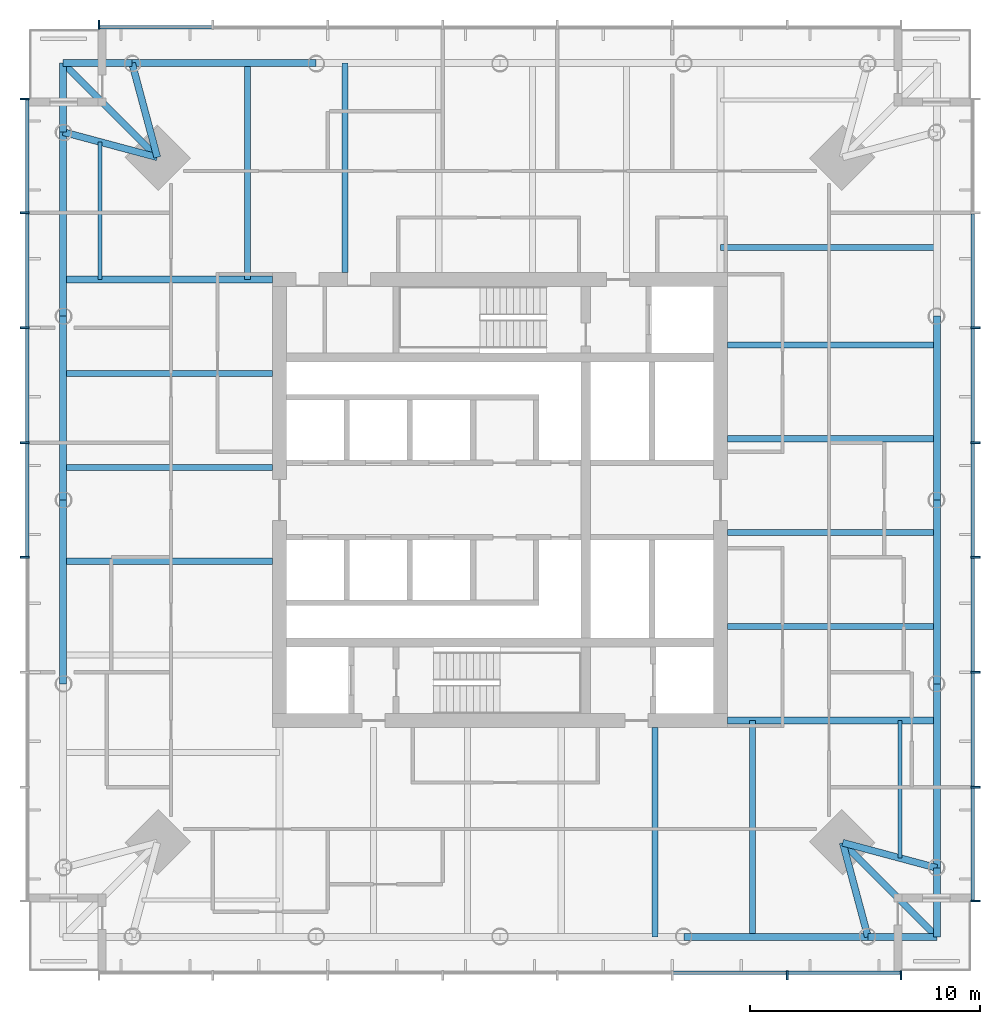
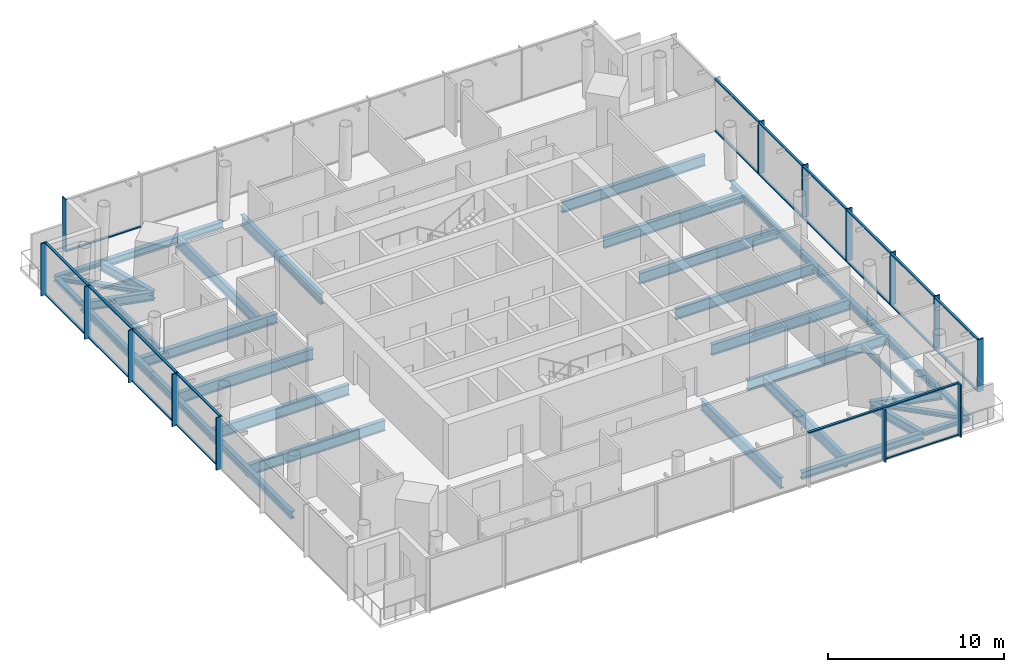
# One storey, part 2 of 9: 38 members, 34 beams, 4 elements without a shape of their own.
"""IFC4 building model written with IfcOpenShell, lengths in metres."""

from ifc_helpers import new_model, si_unit, direction, frame, origin, origin_2d, place, context, subcontext, project, spatial, rectangle, i_section, extrude, material, material_profile, profile_set, type_object, element, aggregate, save


model = new_model("IFC4")

# Units and contexts
model_context = context("Model", 3, precision=1e-05, world=origin(), true_north=direction((0.0, 1.0)))
body_context = subcontext(model_context, "Body", "Model", "MODEL_VIEW")
ifc_project = project(units=[si_unit("LENGTHUNIT", "METRE"), si_unit("AREAUNIT", "SQUARE_METRE"), si_unit("VOLUMEUNIT", "CUBIC_METRE"), si_unit("PLANEANGLEUNIT", "RADIAN"), si_unit("MASSUNIT", "GRAM", prefix="KILO")], contexts=[model_context])

# Site, building, storey
site_placement = place(None, origin())
site = spatial("IfcSite", under=ifc_project, at=site_placement, CompositionType="ELEMENT")
building_placement = place(site_placement, origin())
building = spatial("IfcBuilding", under=site, at=building_placement, Name="Ostroluk Exchange", CompositionType="ELEMENT")
storey_placement = place(building_placement, frame((0.0, 0.0, 176.800048828125)))
storey = spatial("IfcBuildingStorey", under=building, at=storey_placement, Name="L45", CompositionType="ELEMENT", Elevation=176.800048828125)

# Beams
ifc_material_1 = material(Name="Steel S355", Category="steel")
ifc_material_profile_1 = material_profile(ifc_material_1, i_section(OverallWidth=0.300048828125, OverallDepth=0.300048828125, WebThickness=0.010986328125, FlangeThickness=0.01904296875, FilletRadius=0.027099609375, at=origin_2d()), Name="HEB 300")
ifc_profile_set_1 = profile_set([ifc_material_profile_1], Name="Steel S355")
beam_type_1 = type_object("IfcBeamType", Name="Balcony beam HEB 300", PredefinedType="BEAM", material=ifc_profile_set_1)
for number, where, z_axis, x_axis, name in (
    (1, (28.978515625, 65.021484375, -0.330078125), (-1.0, 0.0, 0.0), (0.0, -1.0, 0.0), "T1 north balcony beam a"),
    (2, (25.978515625, 62.021484375, -0.330078125), (0.0, 1.0, 0.0), (-1.0, 0.0, 0.0), "T1 north balcony beam b"),
):
    element("IfcBeam", number, at=place(storey_placement, frame(where, z_axis=z_axis, x_axis=x_axis)), inside=storey, type_object=beam_type_1, Name=name, PredefinedType="BEAM", context=body_context, shape_type="SweptSolid", body=[
        extrude(i_section(OverallWidth=0.300048828125, OverallDepth=0.300048828125, WebThickness=0.010986328125, FlangeThickness=0.01904296875, FilletRadius=0.027099609375, at=origin_2d()), origin(), (0.0, 0.0, 1.0), 3.0),
    ])
beam_1_placement = place(storey_placement, frame((30.07861328125, 60.92138671875, -0.330078125), z_axis=(-0.707106781187, 0.707106781187, 0.0), x_axis=(-0.707106781187, -0.707106781187, 0.0)))
element("IfcBeam", 3, at=beam_1_placement, inside=storey, type_object=beam_type_1, Name="T1 north balcony beam c", PredefinedType="BEAM", context=body_context, shape_type="SweptSolid", body=[
    extrude(i_section(OverallWidth=0.300048828125, OverallDepth=0.300048828125, WebThickness=0.010986328125, FlangeThickness=0.01904296875, FilletRadius=0.027099609375, at=origin_2d()), origin(), (0.0, 0.0, 1.0), 5.79833984375),
])
for number, where, z_axis, x_axis, name in (
    (4, (61.021484375, 26.978515625, -0.330078125), (1.0, 0.0, 0.0), (0.0, 1.0, 0.0), "T1 south balcony beam a"),
    (5, (64.021484375, 29.978515625, -0.330078125), (0.0, -1.0, 0.0), (1.0, 0.0, 0.0), "T1 south balcony beam b"),
):
    element("IfcBeam", number, at=place(storey_placement, frame(where, z_axis=z_axis, x_axis=x_axis)), inside=storey, type_object=beam_type_1, Name=name, PredefinedType="BEAM", context=body_context, shape_type="SweptSolid", body=[
        extrude(i_section(OverallWidth=0.300048828125, OverallDepth=0.300048828125, WebThickness=0.010986328125, FlangeThickness=0.01904296875, FilletRadius=0.027099609375, at=origin_2d()), origin(), (0.0, 0.0, 1.0), 3.0),
    ])
beam_2_placement = place(storey_placement, frame((59.92138671875, 31.07861328125, -0.330078125), z_axis=(0.707106781187, -0.707106781187, 0.0), x_axis=(0.707106781187, 0.707106781187, 0.0)))
element("IfcBeam", 6, at=beam_2_placement, inside=storey, type_object=beam_type_1, Name="T1 south balcony beam c", PredefinedType="BEAM", context=body_context, shape_type="SweptSolid", body=[
    extrude(i_section(OverallWidth=0.300048828125, OverallDepth=0.300048828125, WebThickness=0.010986328125, FlangeThickness=0.01904296875, FilletRadius=0.027099609375, at=origin_2d()), origin(), (0.0, 0.0, 1.0), 5.79833984375),
])
ifc_material_2 = material(Name="Steel S355", Category="steel")
ifc_material_profile_2 = material_profile(ifc_material_2, i_section(OverallWidth=0.300048828125, OverallDepth=0.60009765625, WebThickness=0.015380859375, FlangeThickness=0.030029296875, FilletRadius=0.027099609375, at=origin_2d()), Name="HEB 600")
ifc_profile_set_2 = profile_set([ifc_material_profile_2], Name="Steel S355")
beam_type_2 = type_object("IfcBeamType", Name="Corner edge beam HEB 600", PredefinedType="SPANDREL", material=ifc_profile_set_2)
for number, where, z_axis, x_axis, name in (
    (7, (30.07861328125, 60.92138671875, -0.47998046875), (-0.259144268261, 0.965838624319, 0.0), (-0.965838624319, -0.259144268261, 0.0), "T1 north corner edge beam a"),
    (8, (30.07861328125, 60.92138671875, -0.47998046875), (-0.965838624319, 0.259144268261, 0.0), (-0.259144268261, -0.965838624319, 0.0), "T1 north corner edge beam b"),
    (9, (59.92138671875, 31.07861328125, -0.47998046875), (0.259144268261, -0.965838624319, 0.0), (0.965838624319, 0.259144268261, 0.0), "T1 south corner edge beam a"),
    (10, (59.92138671875, 31.07861328125, -0.47998046875), (0.965838624319, -0.259144268261, 0.0), (0.259144268261, 0.965838624319, 0.0), "T1 south corner edge beam b"),
):
    element("IfcBeam", number, at=place(storey_placement, frame(where, z_axis=z_axis, x_axis=x_axis)), inside=storey, type_object=beam_type_2, Name=name, PredefinedType="SPANDREL", context=body_context, shape_type="SweptSolid", body=[
        extrude(i_section(OverallWidth=0.300048828125, OverallDepth=0.60009765625, WebThickness=0.015380859375, FlangeThickness=0.030029296875, FilletRadius=0.027099609375, at=origin_2d()), origin(), (0.0, 0.0, 1.0), 4.2451171875),
    ])
ifc_material_3 = material(Name="Steel S355", Category="steel")
ifc_material_profile_3 = material_profile(ifc_material_3, i_section(OverallWidth=0.179931640625, OverallDepth=0.39990234375, WebThickness=0.008544921875, FlangeThickness=0.013427734375, FilletRadius=0.02099609375, at=origin_2d()), Name="IPE 400")
ifc_profile_set_3 = profile_set([ifc_material_profile_3], Name="Steel S355")
beam_type_3 = type_object("IfcBeamType", Name="Floor beam IPE 400", PredefinedType="BEAM", material=ifc_profile_set_3)
for number, where, z_axis, x_axis, name in (
    (11, (27.57861328125, 55.60009765625, -0.380126953125), (0.0, 1.0, 0.0), (-1.0, 0.0, 0.0), "T1 north floor beam 6"),
    (12, (62.42138671875, 36.39990234375, -0.380126953125), (0.0, -1.0, 0.0), (1.0, 0.0, 0.0), "T1 south floor beam 6"),
):
    element("IfcBeam", number, at=place(storey_placement, frame(where, z_axis=z_axis, x_axis=x_axis)), inside=storey, type_object=beam_type_3, Name=name, PredefinedType="BEAM", context=body_context, shape_type="SweptSolid", body=[
        extrude(i_section(OverallWidth=0.179931640625, OverallDepth=0.39990234375, WebThickness=0.008544921875, FlangeThickness=0.013427734375, FilletRadius=0.02099609375, at=origin_2d()), origin(), (0.0, 0.0, 1.0), 5.991943359375),
    ])
ifc_material_4 = material(Name="Steel S355", Category="steel")
ifc_material_profile_4 = material_profile(ifc_material_4, i_section(OverallWidth=0.264892578125, OverallDepth=0.7529296875, WebThickness=0.01318359375, FlangeThickness=0.01708984375, FilletRadius=0.01708984375, at=origin_2d()), Name="IPE 750x147")
ifc_profile_set_4 = profile_set([ifc_material_profile_4], Name="Steel S355")
beam_type_4 = type_object("IfcBeamType", Name="Floor beam IPE 750x147", PredefinedType="BEAM", material=ifc_profile_set_4)
for number, where, z_axis, x_axis, name in (
    (13, (54.89990234375, 40.48876953125, -0.556640625), (1.0, 0.0, 0.0), (0.0, 1.0, 0.0), "T1 east floor beam 1"),
    (14, (54.89990234375, 44.57763671875, -0.556640625), (1.0, 0.0, 0.0), (0.0, 1.0, 0.0), "T1 east floor beam 2"),
    (15, (54.89990234375, 48.666259765625, -0.556640625), (1.0, 0.0, 0.0), (0.0, 1.0, 0.0), "T1 east floor beam 3"),
    (16, (54.89990234375, 52.755126953125, -0.556640625), (1.0, 0.0, 0.0), (0.0, 1.0, 0.0), "T1 east floor beam 4"),
):
    element("IfcBeam", number, at=place(storey_placement, frame(where, z_axis=z_axis, x_axis=x_axis)), inside=storey, type_object=beam_type_4, Name=name, PredefinedType="BEAM", context=body_context, shape_type="SweptSolid", body=[
        extrude(i_section(OverallWidth=0.264892578125, OverallDepth=0.7529296875, WebThickness=0.01318359375, FlangeThickness=0.01708984375, FilletRadius=0.01708984375, at=origin_2d()), origin(), (0.0, 0.0, 1.0), 9.12158203125),
    ])
beam_3_placement = place(storey_placement, frame((54.60009765625, 57.0, -0.556640625), z_axis=(1.0, 0.0, 0.0), x_axis=(0.0, 1.0, 0.0)))
element("IfcBeam", 17, at=beam_3_placement, inside=storey, type_object=beam_type_4, Name="T1 east floor beam 5", PredefinedType="BEAM", context=body_context, shape_type="SweptSolid", body=[
    extrude(i_section(OverallWidth=0.264892578125, OverallDepth=0.7529296875, WebThickness=0.01318359375, FlangeThickness=0.01708984375, FilletRadius=0.01708984375, at=origin_2d()), origin(), (0.0, 0.0, 1.0), 9.42138671875),
])
beam_4_placement = place(storey_placement, frame((38.244873046875, 55.89990234375, -0.556640625), z_axis=(0.0, 1.0, 0.0), x_axis=(-1.0, 0.0, 0.0)))
element("IfcBeam", 18, at=beam_4_placement, inside=storey, type_object=beam_type_4, Name="T1 north floor beam 4", PredefinedType="BEAM", context=body_context, shape_type="SweptSolid", body=[
    extrude(i_section(OverallWidth=0.264892578125, OverallDepth=0.7529296875, WebThickness=0.01318359375, FlangeThickness=0.01708984375, FilletRadius=0.01708984375, at=origin_2d()), origin(), (0.0, 0.0, 1.0), 9.12158203125),
])
beam_5_placement = place(storey_placement, frame((34.0, 55.60009765625, -0.556640625), z_axis=(0.0, 1.0, 0.0), x_axis=(-1.0, 0.0, 0.0)))
element("IfcBeam", 19, at=beam_5_placement, inside=storey, type_object=beam_type_4, Name="T1 north floor beam 5", PredefinedType="BEAM", context=body_context, shape_type="SweptSolid", body=[
    extrude(i_section(OverallWidth=0.264892578125, OverallDepth=0.7529296875, WebThickness=0.01318359375, FlangeThickness=0.01708984375, FilletRadius=0.01708984375, at=origin_2d()), origin(), (0.0, 0.0, 1.0), 9.42138671875),
])
for number, where, z_axis, x_axis, name in (
    (20, (35.10009765625, 51.51123046875, -0.556640625), (-1.0, 0.0, 0.0), (0.0, -1.0, 0.0), "T1 west floor beam 1"),
    (21, (35.10009765625, 47.42236328125, -0.556640625), (-1.0, 0.0, 0.0), (0.0, -1.0, 0.0), "T1 west floor beam 2"),
    (22, (35.10009765625, 43.333740234375, -0.556640625), (-1.0, 0.0, 0.0), (0.0, -1.0, 0.0), "T1 west floor beam 3"),
    (23, (51.755126953125, 36.10009765625, -0.556640625), (0.0, -1.0, 0.0), (1.0, 0.0, 0.0), "T1 south floor beam 4"),
):
    element("IfcBeam", number, at=place(storey_placement, frame(where, z_axis=z_axis, x_axis=x_axis)), inside=storey, type_object=beam_type_4, Name=name, PredefinedType="BEAM", context=body_context, shape_type="SweptSolid", body=[
        extrude(i_section(OverallWidth=0.264892578125, OverallDepth=0.7529296875, WebThickness=0.01318359375, FlangeThickness=0.01708984375, FilletRadius=0.01708984375, at=origin_2d()), origin(), (0.0, 0.0, 1.0), 9.12158203125),
    ])
beam_6_placement = place(storey_placement, frame((56.0, 36.39990234375, -0.556640625), z_axis=(0.0, -1.0, 0.0), x_axis=(1.0, 0.0, 0.0)))
element("IfcBeam", 24, at=beam_6_placement, inside=storey, type_object=beam_type_4, Name="T1 south floor beam 5", PredefinedType="BEAM", context=body_context, shape_type="SweptSolid", body=[
    extrude(i_section(OverallWidth=0.264892578125, OverallDepth=0.7529296875, WebThickness=0.01318359375, FlangeThickness=0.01708984375, FilletRadius=0.01708984375, at=origin_2d()), origin(), (0.0, 0.0, 1.0), 9.42138671875),
])
ifc_material_5 = material(Name="Steel S355", Category="steel")
ifc_material_profile_5 = material_profile(ifc_material_5, i_section(OverallWidth=0.300048828125, OverallDepth=0.699951171875, WebThickness=0.01708984375, FlangeThickness=0.031982421875, FilletRadius=0.027099609375, at=origin_2d()), Name="HEB 700")
ifc_profile_set_5 = profile_set([ifc_material_profile_5], Name="Steel S355")
beam_type_5 = type_object("IfcBeamType", Name="Girder HEB 700", PredefinedType="BEAM", material=ifc_profile_set_5)
for number, where, z_axis, x_axis, name in (
    (25, (35.10009765625, 55.60009765625, -0.530029296875), (-1.0, 0.0, 0.0), (0.0, -1.0, 0.0), "T1 north girder"),
    (26, (54.89990234375, 36.39990234375, -0.530029296875), (1.0, 0.0, 0.0), (0.0, 1.0, 0.0), "T1 south girder"),
):
    element("IfcBeam", number, at=place(storey_placement, frame(where, z_axis=z_axis, x_axis=x_axis)), inside=storey, type_object=beam_type_5, Name=name, PredefinedType="BEAM", context=body_context, shape_type="SweptSolid", body=[
        extrude(i_section(OverallWidth=0.300048828125, OverallDepth=0.699951171875, WebThickness=0.01708984375, FlangeThickness=0.031982421875, FilletRadius=0.027099609375, at=origin_2d()), origin(), (0.0, 0.0, 1.0), 9.12158203125),
    ])
ifc_material_6 = material(Name="Steel S355", Category="steel")
ifc_material_profile_6 = material_profile(ifc_material_6, i_section(OverallWidth=0.300048828125, OverallDepth=0.5, WebThickness=0.014404296875, FlangeThickness=0.028076171875, FilletRadius=0.027099609375, at=origin_2d()), Name="HEB 500")
ifc_profile_set_6 = profile_set([ifc_material_profile_6], Name="Steel S355")
beam_type_6 = type_object("IfcBeamType", Name="Moment-connected edge beam HEB 500", PredefinedType="SPANDREL", material=ifc_profile_set_6)
for number, where, z_axis, x_axis, name in (
    (27, (64.021484375, 29.978515625, -0.429931640625), (0.0, 1.0, 0.0), (-1.0, 0.0, 0.0), "T1 east edge beam 1"),
    (28, (64.021484375, 37.9892578125, -0.429931640625), (0.0, 1.0, 0.0), (-1.0, 0.0, 0.0), "T1 east edge beam 2"),
    (29, (64.021484375, 46.0, -0.429931640625), (0.0, 1.0, 0.0), (-1.0, 0.0, 0.0), "T1 east edge beam 3"),
    (30, (36.9892578125, 65.021484375, -0.429931640625), (-1.0, 0.0, 0.0), (0.0, -1.0, 0.0), "T1 north edge beam 4"),
    (31, (25.978515625, 62.021484375, -0.429931640625), (0.0, -1.0, 0.0), (1.0, 0.0, 0.0), "T1 west edge beam 1"),
    (32, (25.978515625, 54.0107421875, -0.429931640625), (0.0, -1.0, 0.0), (1.0, 0.0, 0.0), "T1 west edge beam 2"),
    (33, (25.978515625, 46.0, -0.429931640625), (0.0, -1.0, 0.0), (1.0, 0.0, 0.0), "T1 west edge beam 3"),
    (34, (53.0107421875, 26.978515625, -0.429931640625), (1.0, 0.0, 0.0), (0.0, 1.0, 0.0), "T1 south edge beam 4"),
):
    element("IfcBeam", number, at=place(storey_placement, frame(where, z_axis=z_axis, x_axis=x_axis)), inside=storey, type_object=beam_type_6, Name=name, PredefinedType="SPANDREL", context=body_context, shape_type="SweptSolid", body=[
        extrude(i_section(OverallWidth=0.300048828125, OverallDepth=0.5, WebThickness=0.014404296875, FlangeThickness=0.028076171875, FilletRadius=0.027099609375, at=origin_2d()), origin(), (0.0, 0.0, 1.0), 8.0107421875),
    ])

# Curtain wall, members
ifc_material_7 = material(Name="Laminated clear glass", Category="glass")
curtain_wall_type = type_object("IfcCurtainWallType", Name="Office tower facade", PredefinedType="USERDEFINED", material=ifc_material_7)
curtain_wall_1_placement = place(storey_placement, origin())
curtain_wall_1 = element("IfcCurtainWall", 35, at=curtain_wall_1_placement, inside=storey, type_object=curtain_wall_type, Name="Office tower south facade L45", ObjectType="UNITISED CURTAIN WALL", PredefinedType="USERDEFINED")
ifc_material_8 = material(Name="Aluminium mullion", Category="aluminium")
ifc_material_profile_7 = material_profile(ifc_material_8, rectangle(XDim=0.14990234375, YDim=0.080078125, at=origin_2d()), Name="Sill transom 80 x 150")
ifc_profile_set_7 = profile_set([ifc_material_profile_7], Name="Aluminium mullion")
member_type_1 = type_object("IfcMemberType", Name="Sill transom 80 x 150", PredefinedType="USERDEFINED", material=ifc_profile_set_7)
member_1_placement = place(storey_placement, frame((52.5400390625, 25.425048828125, 3.60986328125), z_axis=(1.0, 0.0, 0.0), x_axis=(0.0, 1.0, 0.0)))
member_1 = element("IfcMember", 36, at=member_1_placement, type_object=member_type_1, Name="CW-O1 transom 6.2", ObjectType="TRANSOM", PredefinedType="USERDEFINED", context=body_context, shape_type="SweptSolid", body=[
    extrude(rectangle(XDim=0.14990234375, YDim=0.080078125, at=origin_2d()), origin(), (0.0, 0.0, 1.0), 4.919921875),
])
member_2_placement = place(storey_placement, frame((57.5400390625, 25.425048828125, 0.0400390625), z_axis=(1.0, 0.0, 0.0), x_axis=(0.0, 1.0, 0.0)))
member_2 = element("IfcMember", 37, at=member_2_placement, type_object=member_type_1, Name="CW-O1 transom 7.1", ObjectType="TRANSOM", PredefinedType="USERDEFINED", context=body_context, shape_type="SweptSolid", body=[
    extrude(rectangle(XDim=0.14990234375, YDim=0.080078125, at=origin_2d()), origin(), (0.0, 0.0, 1.0), 4.8798828125),
])
member_3_placement = place(storey_placement, frame((57.5400390625, 25.425048828125, 3.60986328125), z_axis=(1.0, 0.0, 0.0), x_axis=(0.0, 1.0, 0.0)))
member_3 = element("IfcMember", 38, at=member_3_placement, type_object=member_type_1, Name="CW-O1 transom 7.2", ObjectType="TRANSOM", PredefinedType="USERDEFINED", context=body_context, shape_type="SweptSolid", body=[
    extrude(rectangle(XDim=0.14990234375, YDim=0.080078125, at=origin_2d()), origin(), (0.0, 0.0, 1.0), 4.8798828125),
])

curtain_wall_2_placement = place(storey_placement, origin())
curtain_wall_2 = element("IfcCurtainWall", 39, at=curtain_wall_2_placement, inside=storey, type_object=curtain_wall_type, Name="Office tower east facade L45", ObjectType="UNITISED CURTAIN WALL", PredefinedType="USERDEFINED")
member_4_placement = place(storey_placement, frame((65.574951171875, 28.580078125, 0.0400390625), z_axis=(0.0, 1.0, 0.0), x_axis=(-1.0, 0.0, 0.0)))
member_4 = element("IfcMember", 40, at=member_4_placement, type_object=member_type_1, Name="CW-O1 transom 1.1", ObjectType="TRANSOM", PredefinedType="USERDEFINED", context=body_context, shape_type="SweptSolid", body=[
    extrude(rectangle(XDim=0.14990234375, YDim=0.080078125, at=origin_2d()), origin(), (0.0, 0.0, 1.0), 4.8798828125),
])
member_5_placement = place(storey_placement, frame((65.574951171875, 28.580078125, 3.60986328125), z_axis=(0.0, 1.0, 0.0), x_axis=(-1.0, 0.0, 0.0)))
member_5 = element("IfcMember", 41, at=member_5_placement, type_object=member_type_1, Name="CW-O1 transom 1.2", ObjectType="TRANSOM", PredefinedType="USERDEFINED", context=body_context, shape_type="SweptSolid", body=[
    extrude(rectangle(XDim=0.14990234375, YDim=0.080078125, at=origin_2d()), origin(), (0.0, 0.0, 1.0), 4.8798828125),
])
member_6_placement = place(storey_placement, frame((65.574951171875, 33.5400390625, 0.0400390625), z_axis=(0.0, 1.0, 0.0), x_axis=(-1.0, 0.0, 0.0)))
member_6 = element("IfcMember", 42, at=member_6_placement, type_object=member_type_1, Name="CW-O1 transom 2.1", ObjectType="TRANSOM", PredefinedType="USERDEFINED", context=body_context, shape_type="SweptSolid", body=[
    extrude(rectangle(XDim=0.14990234375, YDim=0.080078125, at=origin_2d()), origin(), (0.0, 0.0, 1.0), 4.919921875),
])
member_7_placement = place(storey_placement, frame((65.574951171875, 33.5400390625, 3.60986328125), z_axis=(0.0, 1.0, 0.0), x_axis=(-1.0, 0.0, 0.0)))
member_7 = element("IfcMember", 43, at=member_7_placement, type_object=member_type_1, Name="CW-O1 transom 2.2", ObjectType="TRANSOM", PredefinedType="USERDEFINED", context=body_context, shape_type="SweptSolid", body=[
    extrude(rectangle(XDim=0.14990234375, YDim=0.080078125, at=origin_2d()), origin(), (0.0, 0.0, 1.0), 4.919921875),
])
member_8_placement = place(storey_placement, frame((65.574951171875, 38.5400390625, 0.0400390625), z_axis=(0.0, 1.0, 0.0), x_axis=(-1.0, 0.0, 0.0)))
member_8 = element("IfcMember", 44, at=member_8_placement, type_object=member_type_1, Name="CW-O1 transom 3.1", ObjectType="TRANSOM", PredefinedType="USERDEFINED", context=body_context, shape_type="SweptSolid", body=[
    extrude(rectangle(XDim=0.14990234375, YDim=0.080078125, at=origin_2d()), origin(), (0.0, 0.0, 1.0), 4.919921875),
])
member_9_placement = place(storey_placement, frame((65.574951171875, 38.5400390625, 3.60986328125), z_axis=(0.0, 1.0, 0.0), x_axis=(-1.0, 0.0, 0.0)))
member_9 = element("IfcMember", 45, at=member_9_placement, type_object=member_type_1, Name="CW-O1 transom 3.2", ObjectType="TRANSOM", PredefinedType="USERDEFINED", context=body_context, shape_type="SweptSolid", body=[
    extrude(rectangle(XDim=0.14990234375, YDim=0.080078125, at=origin_2d()), origin(), (0.0, 0.0, 1.0), 4.919921875),
])
member_10_placement = place(storey_placement, frame((65.574951171875, 43.5400390625, 0.0400390625), z_axis=(0.0, 1.0, 0.0), x_axis=(-1.0, 0.0, 0.0)))
member_10 = element("IfcMember", 46, at=member_10_placement, type_object=member_type_1, Name="CW-O1 transom 4.1", ObjectType="TRANSOM", PredefinedType="USERDEFINED", context=body_context, shape_type="SweptSolid", body=[
    extrude(rectangle(XDim=0.14990234375, YDim=0.080078125, at=origin_2d()), origin(), (0.0, 0.0, 1.0), 4.919921875),
])
member_11_placement = place(storey_placement, frame((65.574951171875, 43.5400390625, 3.60986328125), z_axis=(0.0, 1.0, 0.0), x_axis=(-1.0, 0.0, 0.0)))
member_11 = element("IfcMember", 47, at=member_11_placement, type_object=member_type_1, Name="CW-O1 transom 4.2", ObjectType="TRANSOM", PredefinedType="USERDEFINED", context=body_context, shape_type="SweptSolid", body=[
    extrude(rectangle(XDim=0.14990234375, YDim=0.080078125, at=origin_2d()), origin(), (0.0, 0.0, 1.0), 4.919921875),
])
member_12_placement = place(storey_placement, frame((65.574951171875, 48.5400390625, 0.0400390625), z_axis=(0.0, 1.0, 0.0), x_axis=(-1.0, 0.0, 0.0)))
member_12 = element("IfcMember", 48, at=member_12_placement, type_object=member_type_1, Name="CW-O1 transom 5.1", ObjectType="TRANSOM", PredefinedType="USERDEFINED", context=body_context, shape_type="SweptSolid", body=[
    extrude(rectangle(XDim=0.14990234375, YDim=0.080078125, at=origin_2d()), origin(), (0.0, 0.0, 1.0), 4.919921875),
])
member_13_placement = place(storey_placement, frame((65.574951171875, 48.5400390625, 3.60986328125), z_axis=(0.0, 1.0, 0.0), x_axis=(-1.0, 0.0, 0.0)))
member_13 = element("IfcMember", 49, at=member_13_placement, type_object=member_type_1, Name="CW-O1 transom 5.2", ObjectType="TRANSOM", PredefinedType="USERDEFINED", context=body_context, shape_type="SweptSolid", body=[
    extrude(rectangle(XDim=0.14990234375, YDim=0.080078125, at=origin_2d()), origin(), (0.0, 0.0, 1.0), 4.919921875),
])
member_14_placement = place(storey_placement, frame((65.574951171875, 53.5400390625, 0.0400390625), z_axis=(0.0, 1.0, 0.0), x_axis=(-1.0, 0.0, 0.0)))
member_14 = element("IfcMember", 50, at=member_14_placement, type_object=member_type_1, Name="CW-O1 transom 6.1", ObjectType="TRANSOM", PredefinedType="USERDEFINED", context=body_context, shape_type="SweptSolid", body=[
    extrude(rectangle(XDim=0.14990234375, YDim=0.080078125, at=origin_2d()), origin(), (0.0, 0.0, 1.0), 4.919921875),
])
member_15_placement = place(storey_placement, frame((65.574951171875, 53.5400390625, 3.60986328125), z_axis=(0.0, 1.0, 0.0), x_axis=(-1.0, 0.0, 0.0)))
member_15 = element("IfcMember", 51, at=member_15_placement, type_object=member_type_1, Name="CW-O1 transom 6.2", ObjectType="TRANSOM", PredefinedType="USERDEFINED", context=body_context, shape_type="SweptSolid", body=[
    extrude(rectangle(XDim=0.14990234375, YDim=0.080078125, at=origin_2d()), origin(), (0.0, 0.0, 1.0), 4.919921875),
])

# Curtain wall, member
curtain_wall_3_placement = place(storey_placement, origin())
curtain_wall_3 = element("IfcCurtainWall", 52, at=curtain_wall_3_placement, inside=storey, type_object=curtain_wall_type, Name="Office tower north facade L45", ObjectType="UNITISED CURTAIN WALL", PredefinedType="USERDEFINED")
member_16_placement = place(storey_placement, frame((32.4599609375, 66.574951171875, 0.0400390625), z_axis=(-1.0, 0.0, 0.0), x_axis=(0.0, -1.0, 0.0)))
member_16 = element("IfcMember", 53, at=member_16_placement, type_object=member_type_1, Name="CW-O1 transom 7.1", ObjectType="TRANSOM", PredefinedType="USERDEFINED", context=body_context, shape_type="SweptSolid", body=[
    extrude(rectangle(XDim=0.14990234375, YDim=0.080078125, at=origin_2d()), origin(), (0.0, 0.0, 1.0), 4.8798828125),
])

# Curtain wall, members
curtain_wall_4_placement = place(storey_placement, origin())
curtain_wall_4 = element("IfcCurtainWall", 54, at=curtain_wall_4_placement, inside=storey, type_object=curtain_wall_type, Name="Office tower west facade L45", ObjectType="UNITISED CURTAIN WALL", PredefinedType="USERDEFINED")
member_17_placement = place(storey_placement, frame((24.425048828125, 63.419921875, 0.0400390625), z_axis=(0.0, -1.0, 0.0), x_axis=(1.0, 0.0, 0.0)))
member_17 = element("IfcMember", 55, at=member_17_placement, type_object=member_type_1, Name="CW-O1 transom 1.1", ObjectType="TRANSOM", PredefinedType="USERDEFINED", context=body_context, shape_type="SweptSolid", body=[
    extrude(rectangle(XDim=0.14990234375, YDim=0.080078125, at=origin_2d()), origin(), (0.0, 0.0, 1.0), 4.8798828125),
])
member_18_placement = place(storey_placement, frame((24.425048828125, 63.419921875, 3.60986328125), z_axis=(0.0, -1.0, 0.0), x_axis=(1.0, 0.0, 0.0)))
member_18 = element("IfcMember", 56, at=member_18_placement, type_object=member_type_1, Name="CW-O1 transom 1.2", ObjectType="TRANSOM", PredefinedType="USERDEFINED", context=body_context, shape_type="SweptSolid", body=[
    extrude(rectangle(XDim=0.14990234375, YDim=0.080078125, at=origin_2d()), origin(), (0.0, 0.0, 1.0), 4.8798828125),
])
member_19_placement = place(storey_placement, frame((24.425048828125, 58.4599609375, 0.0400390625), z_axis=(0.0, -1.0, 0.0), x_axis=(1.0, 0.0, 0.0)))
member_19 = element("IfcMember", 57, at=member_19_placement, type_object=member_type_1, Name="CW-O1 transom 2.1", ObjectType="TRANSOM", PredefinedType="USERDEFINED", context=body_context, shape_type="SweptSolid", body=[
    extrude(rectangle(XDim=0.14990234375, YDim=0.080078125, at=origin_2d()), origin(), (0.0, 0.0, 1.0), 4.919921875),
])
member_20_placement = place(storey_placement, frame((24.425048828125, 58.4599609375, 3.60986328125), z_axis=(0.0, -1.0, 0.0), x_axis=(1.0, 0.0, 0.0)))
member_20 = element("IfcMember", 58, at=member_20_placement, type_object=member_type_1, Name="CW-O1 transom 2.2", ObjectType="TRANSOM", PredefinedType="USERDEFINED", context=body_context, shape_type="SweptSolid", body=[
    extrude(rectangle(XDim=0.14990234375, YDim=0.080078125, at=origin_2d()), origin(), (0.0, 0.0, 1.0), 4.919921875),
])
member_21_placement = place(storey_placement, frame((24.425048828125, 53.4599609375, 0.0400390625), z_axis=(0.0, -1.0, 0.0), x_axis=(1.0, 0.0, 0.0)))
member_21 = element("IfcMember", 59, at=member_21_placement, type_object=member_type_1, Name="CW-O1 transom 3.1", ObjectType="TRANSOM", PredefinedType="USERDEFINED", context=body_context, shape_type="SweptSolid", body=[
    extrude(rectangle(XDim=0.14990234375, YDim=0.080078125, at=origin_2d()), origin(), (0.0, 0.0, 1.0), 4.919921875),
])
member_22_placement = place(storey_placement, frame((24.425048828125, 53.4599609375, 3.60986328125), z_axis=(0.0, -1.0, 0.0), x_axis=(1.0, 0.0, 0.0)))
member_22 = element("IfcMember", 60, at=member_22_placement, type_object=member_type_1, Name="CW-O1 transom 3.2", ObjectType="TRANSOM", PredefinedType="USERDEFINED", context=body_context, shape_type="SweptSolid", body=[
    extrude(rectangle(XDim=0.14990234375, YDim=0.080078125, at=origin_2d()), origin(), (0.0, 0.0, 1.0), 4.919921875),
])
member_23_placement = place(storey_placement, frame((24.425048828125, 48.4599609375, 0.0400390625), z_axis=(0.0, -1.0, 0.0), x_axis=(1.0, 0.0, 0.0)))
member_23 = element("IfcMember", 61, at=member_23_placement, type_object=member_type_1, Name="CW-O1 transom 4.1", ObjectType="TRANSOM", PredefinedType="USERDEFINED", context=body_context, shape_type="SweptSolid", body=[
    extrude(rectangle(XDim=0.14990234375, YDim=0.080078125, at=origin_2d()), origin(), (0.0, 0.0, 1.0), 4.919921875),
])
member_24_placement = place(storey_placement, frame((24.425048828125, 48.4599609375, 3.60986328125), z_axis=(0.0, -1.0, 0.0), x_axis=(1.0, 0.0, 0.0)))
member_24 = element("IfcMember", 62, at=member_24_placement, type_object=member_type_1, Name="CW-O1 transom 4.2", ObjectType="TRANSOM", PredefinedType="USERDEFINED", context=body_context, shape_type="SweptSolid", body=[
    extrude(rectangle(XDim=0.14990234375, YDim=0.080078125, at=origin_2d()), origin(), (0.0, 0.0, 1.0), 4.919921875),
])

# Member
ifc_material_9 = material(Name="Aluminium mullion with limestone facing", Category="masonry")
ifc_material_profile_8 = material_profile(ifc_material_9, rectangle(XDim=0.39990234375, YDim=0.080078125, at=origin_2d()), Name="Tracery mullion 80 x 400")
ifc_profile_set_8 = profile_set([ifc_material_profile_8], Name="Aluminium mullion with limestone facing")
member_type_2 = type_object("IfcMemberType", Name="Tracery mullion 80 x 400", PredefinedType="MULLION", material=ifc_profile_set_8)
member_25_placement = place(storey_placement, frame((57.5, 25.300048828125, 0.0), z_axis=(0.0, 0.0, 1.0), x_axis=(0.0, 1.0, 0.0)))
member_25 = element("IfcMember", 63, at=member_25_placement, type_object=member_type_2, Name="CW-O1 mullion 7", PredefinedType="MULLION", context=body_context, shape_type="SweptSolid", body=[
    extrude(rectangle(XDim=0.39990234375, YDim=0.080078125, at=origin_2d()), origin(), (0.0, 0.0, 1.0), 3.64990234375),
])

member_26_placement = place(storey_placement, frame((62.4599609375, 25.300048828125, 0.0), z_axis=(0.0, 0.0, 1.0), x_axis=(0.0, 1.0, 0.0)))
member_26 = element("IfcMember", 64, at=member_26_placement, type_object=member_type_2, Name="CW-O1 mullion 8", PredefinedType="MULLION", context=body_context, shape_type="SweptSolid", body=[
    extrude(rectangle(XDim=0.39990234375, YDim=0.080078125, at=origin_2d()), origin(), (0.0, 0.0, 1.0), 3.64990234375),
])

aggregate(curtain_wall_1, [member_25, member_26, member_1, member_2, member_3])

member_27_placement = place(storey_placement, frame((65.699951171875, 28.5400390625, 0.0), z_axis=(0.0, 0.0, 1.0), x_axis=(-1.0, 0.0, 0.0)))
member_27 = element("IfcMember", 65, at=member_27_placement, type_object=member_type_2, Name="CW-O1 mullion 1", PredefinedType="MULLION", context=body_context, shape_type="SweptSolid", body=[
    extrude(rectangle(XDim=0.39990234375, YDim=0.080078125, at=origin_2d()), origin(), (0.0, 0.0, 1.0), 3.64990234375),
])

member_28_placement = place(storey_placement, frame((65.699951171875, 33.5, 0.0), z_axis=(0.0, 0.0, 1.0), x_axis=(-1.0, 0.0, 0.0)))
member_28 = element("IfcMember", 66, at=member_28_placement, type_object=member_type_2, Name="CW-O1 mullion 2", PredefinedType="MULLION", context=body_context, shape_type="SweptSolid", body=[
    extrude(rectangle(XDim=0.39990234375, YDim=0.080078125, at=origin_2d()), origin(), (0.0, 0.0, 1.0), 3.64990234375),
])

member_29_placement = place(storey_placement, frame((65.699951171875, 38.5, 0.0), z_axis=(0.0, 0.0, 1.0), x_axis=(-1.0, 0.0, 0.0)))
member_29 = element("IfcMember", 67, at=member_29_placement, type_object=member_type_2, Name="CW-O1 mullion 3", PredefinedType="MULLION", context=body_context, shape_type="SweptSolid", body=[
    extrude(rectangle(XDim=0.39990234375, YDim=0.080078125, at=origin_2d()), origin(), (0.0, 0.0, 1.0), 3.64990234375),
])

member_30_placement = place(storey_placement, frame((65.699951171875, 43.5, 0.0), z_axis=(0.0, 0.0, 1.0), x_axis=(-1.0, 0.0, 0.0)))
member_30 = element("IfcMember", 68, at=member_30_placement, type_object=member_type_2, Name="CW-O1 mullion 4", PredefinedType="MULLION", context=body_context, shape_type="SweptSolid", body=[
    extrude(rectangle(XDim=0.39990234375, YDim=0.080078125, at=origin_2d()), origin(), (0.0, 0.0, 1.0), 3.64990234375),
])

member_31_placement = place(storey_placement, frame((65.699951171875, 48.5, 0.0), z_axis=(0.0, 0.0, 1.0), x_axis=(-1.0, 0.0, 0.0)))
member_31 = element("IfcMember", 69, at=member_31_placement, type_object=member_type_2, Name="CW-O1 mullion 5", PredefinedType="MULLION", context=body_context, shape_type="SweptSolid", body=[
    extrude(rectangle(XDim=0.39990234375, YDim=0.080078125, at=origin_2d()), origin(), (0.0, 0.0, 1.0), 3.64990234375),
])

member_32_placement = place(storey_placement, frame((65.699951171875, 53.5, 0.0), z_axis=(0.0, 0.0, 1.0), x_axis=(-1.0, 0.0, 0.0)))
member_32 = element("IfcMember", 70, at=member_32_placement, type_object=member_type_2, Name="CW-O1 mullion 6", PredefinedType="MULLION", context=body_context, shape_type="SweptSolid", body=[
    extrude(rectangle(XDim=0.39990234375, YDim=0.080078125, at=origin_2d()), origin(), (0.0, 0.0, 1.0), 3.64990234375),
])

aggregate(curtain_wall_2, [member_27, member_28, member_29, member_30, member_31, member_32, member_4, member_5, member_6, member_7, member_8, member_9, member_10, member_11, member_12, member_13, member_14, member_15])

member_33_placement = place(storey_placement, frame((27.5400390625, 66.699951171875, 0.0), z_axis=(0.0, 0.0, 1.0), x_axis=(0.0, -1.0, 0.0)))
member_33 = element("IfcMember", 71, at=member_33_placement, type_object=member_type_2, Name="CW-O1 mullion 8", PredefinedType="MULLION", context=body_context, shape_type="SweptSolid", body=[
    extrude(rectangle(XDim=0.39990234375, YDim=0.080078125, at=origin_2d()), origin(), (0.0, 0.0, 1.0), 3.64990234375),
])

aggregate(curtain_wall_3, [member_33, member_16])

member_34_placement = place(storey_placement, frame((24.300048828125, 63.4599609375, 0.0), z_axis=(0.0, 0.0, 1.0), x_axis=(1.0, 0.0, 0.0)))
member_34 = element("IfcMember", 72, at=member_34_placement, type_object=member_type_2, Name="CW-O1 mullion 1", PredefinedType="MULLION", context=body_context, shape_type="SweptSolid", body=[
    extrude(rectangle(XDim=0.39990234375, YDim=0.080078125, at=origin_2d()), origin(), (0.0, 0.0, 1.0), 3.64990234375),
])

member_35_placement = place(storey_placement, frame((24.300048828125, 58.5, 0.0), z_axis=(0.0, 0.0, 1.0), x_axis=(1.0, 0.0, 0.0)))
member_35 = element("IfcMember", 73, at=member_35_placement, type_object=member_type_2, Name="CW-O1 mullion 2", PredefinedType="MULLION", context=body_context, shape_type="SweptSolid", body=[
    extrude(rectangle(XDim=0.39990234375, YDim=0.080078125, at=origin_2d()), origin(), (0.0, 0.0, 1.0), 3.64990234375),
])

member_36_placement = place(storey_placement, frame((24.300048828125, 53.5, 0.0), z_axis=(0.0, 0.0, 1.0), x_axis=(1.0, 0.0, 0.0)))
member_36 = element("IfcMember", 74, at=member_36_placement, type_object=member_type_2, Name="CW-O1 mullion 3", PredefinedType="MULLION", context=body_context, shape_type="SweptSolid", body=[
    extrude(rectangle(XDim=0.39990234375, YDim=0.080078125, at=origin_2d()), origin(), (0.0, 0.0, 1.0), 3.64990234375),
])

member_37_placement = place(storey_placement, frame((24.300048828125, 48.5, 0.0), z_axis=(0.0, 0.0, 1.0), x_axis=(1.0, 0.0, 0.0)))
member_37 = element("IfcMember", 75, at=member_37_placement, type_object=member_type_2, Name="CW-O1 mullion 4", PredefinedType="MULLION", context=body_context, shape_type="SweptSolid", body=[
    extrude(rectangle(XDim=0.39990234375, YDim=0.080078125, at=origin_2d()), origin(), (0.0, 0.0, 1.0), 3.64990234375),
])

member_38_placement = place(storey_placement, frame((24.300048828125, 43.5, 0.0), z_axis=(0.0, 0.0, 1.0), x_axis=(1.0, 0.0, 0.0)))
member_38 = element("IfcMember", 76, at=member_38_placement, type_object=member_type_2, Name="CW-O1 mullion 5", PredefinedType="MULLION", context=body_context, shape_type="SweptSolid", body=[
    extrude(rectangle(XDim=0.39990234375, YDim=0.080078125, at=origin_2d()), origin(), (0.0, 0.0, 1.0), 3.64990234375),
])

aggregate(curtain_wall_4, [member_34, member_35, member_36, member_37, member_38, member_17, member_18, member_19, member_20, member_21, member_22, member_23, member_24])

save(model, "model.ifc")
